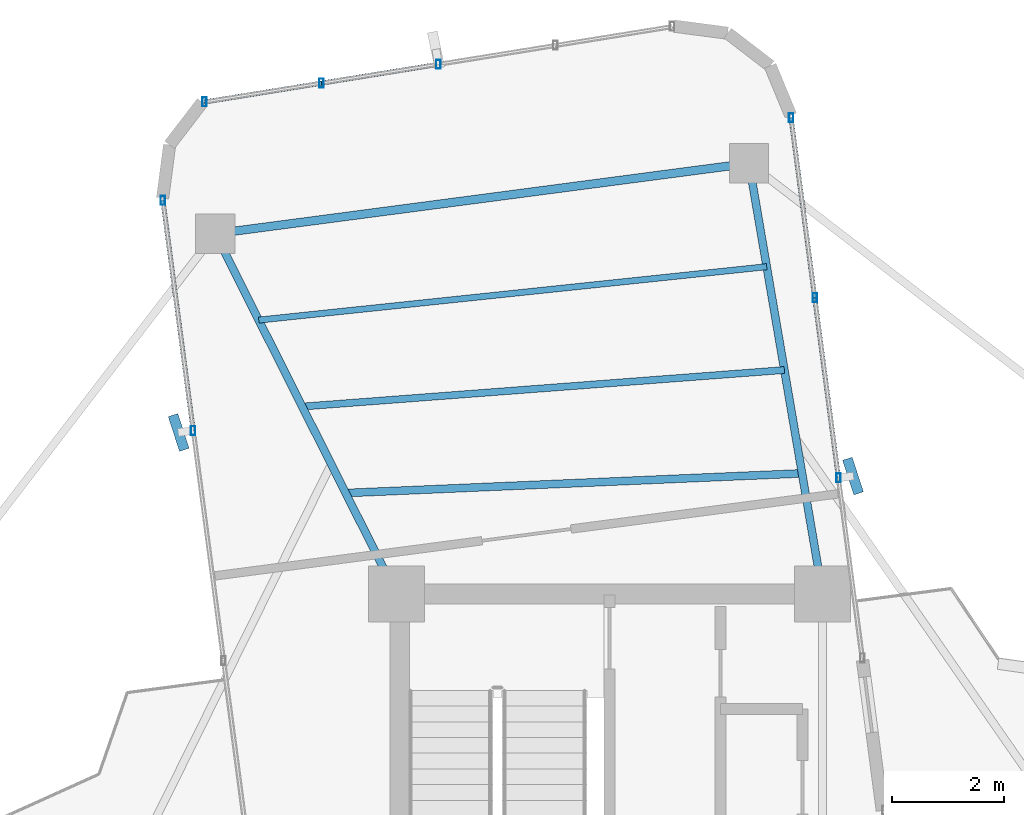
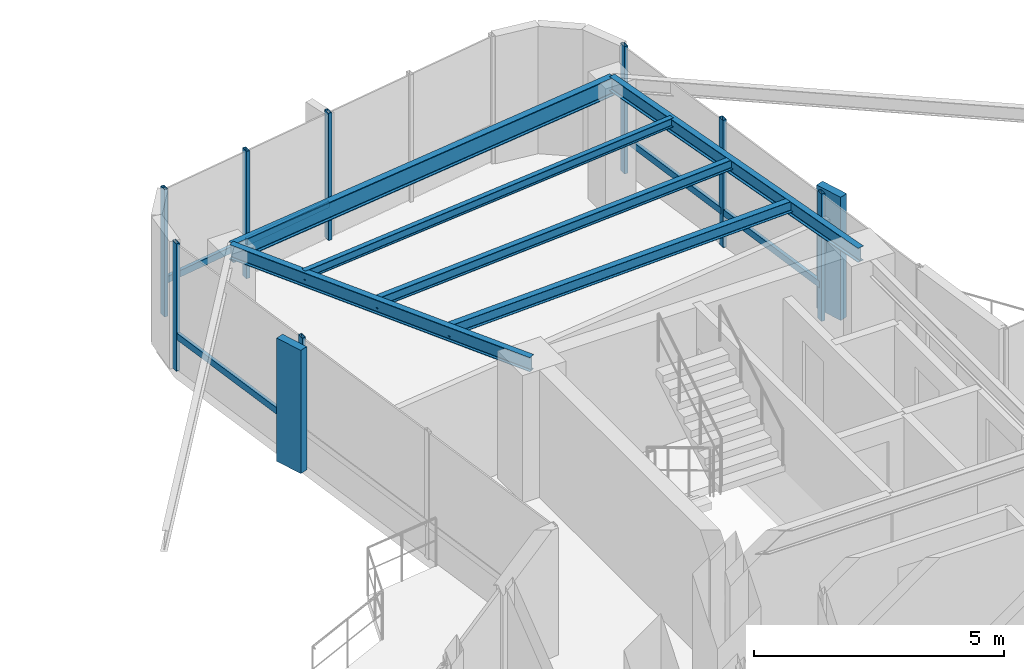
# One storey, part 13 of 21: 15 members, 6 beams, 3 elements without a shape of their own.
"""IFC4 building model written with IfcOpenShell, lengths in metres."""

from ifc_helpers import new_model, si_unit, direction, frame, origin, origin_2d, place, context, subcontext, project, spatial, rectangle, hollow_rectangle, i_section, extrude, source, transform, mapped, material, material_profile, profile_set, type_object, element, aggregate, save


model = new_model("IFC4")

# Units and contexts
model_context = context("Model", 3, precision=1e-05, world=origin(), true_north=direction((0.0, 1.0)))
body_context = subcontext(model_context, "Body", "Model", "MODEL_VIEW")
ifc_project = project(units=[si_unit("LENGTHUNIT", "METRE"), si_unit("AREAUNIT", "SQUARE_METRE"), si_unit("VOLUMEUNIT", "CUBIC_METRE"), si_unit("PLANEANGLEUNIT", "RADIAN"), si_unit("MASSUNIT", "GRAM", prefix="KILO")], contexts=[model_context])

# Site, building, storey
site_placement = place(None, origin())
site = spatial("IfcSite", under=ifc_project, at=site_placement, CompositionType="ELEMENT")
building_placement = place(site_placement, origin())
building = spatial("IfcBuilding", under=site, at=building_placement, Name="Sahyath Konkavel Grand Hotel", CompositionType="ELEMENT")
storey_placement = place(building_placement, frame((0.0, 0.0, 216.550048828125)))
storey = spatial("IfcBuildingStorey", under=building, at=storey_placement, Name="L60", CompositionType="ELEMENT", Elevation=216.550048828125)

# Beams
ifc_material_1 = material(Name="Steel E350", Category="steel")
ifc_material_profile_1 = material_profile(ifc_material_1, i_section(OverallWidth=0.139892578125, OverallDepth=0.35009765625, WebThickness=0.008056640625, FlangeThickness=0.01416015625, FilletRadius=0.013916015625, at=origin_2d()), Name="ISMB 350")
ifc_profile_set_1 = profile_set([ifc_material_profile_1], Name="Steel E350")
beam_type_1 = type_object("IfcBeamType", Name="BM-ISMB350", PredefinedType="BEAM", material=ifc_profile_set_1)
shared_shape_1 = source(origin(), body_context, "Body", "SweptSolid", [
    extrude(i_section(OverallWidth=0.139892578125, OverallDepth=0.35009765625, WebThickness=0.008056640625, FlangeThickness=0.01416015625, FilletRadius=0.013916015625, at=origin_2d()), origin(), (0.0, 0.0, 1.0), 7.7890625),
])
beam_1_placement = place(storey_placement, frame((3.800048828125, 10.199951171875, 2.93505859375), z_axis=(-0.168473997649, 0.985706098244, 0.0), x_axis=(-0.985706098244, -0.168473997649, 0.0)))
element("IfcBeam", 1, at=beam_1_placement, inside=storey, type_object=beam_type_1, Name="L60 Cruciform Radial Girder NA", PredefinedType="BEAM", context=body_context, shape_type="MappedRepresentation", body=[
    mapped(shared_shape_1, transform((0.0, 0.0, 0.0), scale=1.0)),
])
shared_shape_2 = source(origin(), body_context, "Body", "SweptSolid", [
    extrude(i_section(OverallWidth=0.139892578125, OverallDepth=0.35009765625, WebThickness=0.008056640625, FlangeThickness=0.01416015625, FilletRadius=0.013916015625, at=origin_2d()), origin(), (0.0, 0.0, 1.0), 7.19091796875),
])
beam_2_placement = place(storey_placement, frame((-3.800048828125, 10.199951171875, 2.93505859375), z_axis=(-0.4491817134, 0.893440422383, 0.0), x_axis=(-0.893440422383, -0.4491817134, 0.0)))
element("IfcBeam", 2, at=beam_2_placement, inside=storey, type_object=beam_type_1, Name="L60 Cruciform Radial Girder NB", PredefinedType="BEAM", context=body_context, shape_type="MappedRepresentation", body=[
    mapped(shared_shape_2, transform((0.0, 0.0, 0.0), scale=1.0)),
])
ifc_material_profile_2 = material_profile(ifc_material_1, i_section(OverallWidth=0.14990234375, OverallDepth=0.449951171875, WebThickness=0.009521484375, FlangeThickness=0.017333984375, FilletRadius=0.014892578125, at=origin_2d()), Name="ISMB 450")
ifc_profile_set_2 = profile_set([ifc_material_profile_2], Name="Steel E350")
beam_type_2 = type_object("IfcBeamType", Name="BM-ISMB450", PredefinedType="BEAM", material=ifc_profile_set_2)
shared_shape_3 = source(origin(), body_context, "Body", "SweptSolid", [
    extrude(i_section(OverallWidth=0.14990234375, OverallDepth=0.449951171875, WebThickness=0.009521484375, FlangeThickness=0.017333984375, FilletRadius=0.014892578125, at=origin_2d()), origin(), (0.0, 0.0, 1.0), 9.599853515625),
])
beam_3_placement = place(storey_placement, frame((2.48779296875, 17.877685546875, 2.885009765625), z_axis=(-0.991443125639, -0.130539375757, 0.0), x_axis=(0.130539375757, -0.991443125639, 0.0)))
element("IfcBeam", 3, at=beam_3_placement, inside=storey, type_object=beam_type_2, Name="L60 Wing Tip Edge Beam N", PredefinedType="BEAM", context=body_context, shape_type="MappedRepresentation", body=[
    mapped(shared_shape_3, transform((0.0, 0.0, 0.0), scale=1.0)),
])
ifc_material_profile_3 = material_profile(ifc_material_1, i_section(OverallWidth=0.139892578125, OverallDepth=0.27490234375, WebThickness=0.00634765625, FlangeThickness=0.0087890625, FilletRadius=0.012939453125, at=origin_2d()), Name="ISLB 275")
ifc_profile_set_3 = profile_set([ifc_material_profile_3], Name="Steel E350")
beam_type_3 = type_object("IfcBeamType", Name="BM-ISLB275", PredefinedType="BEAM", material=ifc_profile_set_3)
shared_shape_4 = source(origin(), body_context, "Body", "SweptSolid", [
    extrude(i_section(OverallWidth=0.139892578125, OverallDepth=0.27490234375, WebThickness=0.00634765625, FlangeThickness=0.0087890625, FilletRadius=0.012939453125, at=origin_2d()), origin(), (0.0, 0.0, 1.0), 8.14453125),
])
beam_4_placement = place(storey_placement, frame((3.4326171875, 12.349853515625, 2.972412109375), z_axis=(-0.999070525707, -0.043105506195, 0.0), x_axis=(0.043105506195, -0.999070525707, 0.0)))
element("IfcBeam", 4, at=beam_4_placement, inside=storey, type_object=beam_type_3, Name="L60 Secondary Floor Beam N-1", PredefinedType="BEAM", context=body_context, shape_type="MappedRepresentation", body=[
    mapped(shared_shape_4, transform((0.0, 0.0, 0.0), scale=1.0)),
])
ifc_material_profile_4 = material_profile(ifc_material_1, i_section(OverallWidth=0.125, OverallDepth=0.25, WebThickness=0.0068359375, FlangeThickness=0.012451171875, FilletRadius=0.012939453125, at=origin_2d()), Name="ISMB 250")
ifc_profile_set_4 = profile_set([ifc_material_profile_4], Name="Steel E350")
beam_type_4 = type_object("IfcBeamType", Name="BM-ISMB250", PredefinedType="BEAM", material=ifc_profile_set_4)
shared_shape_5 = source(origin(), body_context, "Body", "SweptSolid", [
    extrude(i_section(OverallWidth=0.125, OverallDepth=0.25, WebThickness=0.0068359375, FlangeThickness=0.012451171875, FilletRadius=0.012939453125, at=origin_2d()), origin(), (0.0, 0.0, 1.0), 8.6220703125),
])
beam_5_placement = place(storey_placement, frame((3.11767578125, 14.1923828125, 2.98486328125), z_axis=(-0.997140134449, -0.075574812405, 0.0), x_axis=(0.075574812405, -0.997140134449, 0.0)))
element("IfcBeam", 5, at=beam_5_placement, inside=storey, type_object=beam_type_4, Name="L60 Secondary Floor Beam N-2", PredefinedType="BEAM", context=body_context, shape_type="MappedRepresentation", body=[
    mapped(shared_shape_5, transform((0.0, 0.0, 0.0), scale=1.0)),
])
ifc_material_profile_5 = material_profile(ifc_material_1, i_section(OverallWidth=0.110107421875, OverallDepth=0.22509765625, WebThickness=0.006591796875, FlangeThickness=0.01171875, FilletRadius=0.011962890625, at=origin_2d()), Name="ISMB 225")
ifc_profile_set_5 = profile_set([ifc_material_profile_5], Name="Steel E350")
beam_type_5 = type_object("IfcBeamType", Name="BM-ISMB225", PredefinedType="BEAM", material=ifc_profile_set_5)
shared_shape_6 = source(origin(), body_context, "Body", "SweptSolid", [
    extrude(i_section(OverallWidth=0.110107421875, OverallDepth=0.22509765625, WebThickness=0.006591796875, FlangeThickness=0.01171875, FilletRadius=0.011962890625, at=origin_2d()), origin(), (0.0, 0.0, 1.0), 9.107666015625),
])
beam_6_placement = place(storey_placement, frame((2.802734375, 16.03515625, 2.99755859375), z_axis=(-0.994517344132, -0.10457175632, 0.0), x_axis=(0.10457175632, -0.994517344132, 0.0)))
element("IfcBeam", 6, at=beam_6_placement, inside=storey, type_object=beam_type_5, Name="L60 Secondary Floor Beam N-3", PredefinedType="BEAM", context=body_context, shape_type="MappedRepresentation", body=[
    mapped(shared_shape_6, transform((0.0, 0.0, 0.0), scale=1.0)),
])

# Curtain wall, members
ifc_material_2 = material(Name="Anodised Bronze Aluminium & Low-E Glazing", Category="aluminium")
curtain_wall_type = type_object("IfcCurtainWallType", Name="CW-ZONE4", PredefinedType="NOTDEFINED", material=ifc_material_2)
curtain_wall_1_placement = place(storey_placement, origin())
curtain_wall_1 = element("IfcCurtainWall", 7, at=curtain_wall_1_placement, inside=storey, type_object=curtain_wall_type, Name="L60 Unitised Curtain Wall F8", PredefinedType="NOTDEFINED")
ifc_material_3 = material(Name="Anodised Bronze Aluminium", Category="aluminium")
ifc_material_profile_6 = material_profile(ifc_material_3, hollow_rectangle(XDim=0.080078125, YDim=0.159912109375, WallThickness=0.006103515625, at=origin_2d()), Name="RHS 160x80x6")
ifc_profile_set_6 = profile_set([ifc_material_profile_6], Name="Anodised Bronze Aluminium")
member_type_1 = type_object("IfcMemberType", Name="CW-MUL-160", PredefinedType="MULLION", material=ifc_profile_set_6)
shared_shape_7 = source(origin(), body_context, "Body", "SweptSolid", [
    extrude(hollow_rectangle(XDim=0.080078125, YDim=0.159912109375, WallThickness=0.006103515625, at=origin_2d()), origin(), (0.0, 0.0, 1.0), 3.10986328125),
])
member_1_placement = place(storey_placement, frame((4.083740234375, 12.26806640625, 0.0), z_axis=(0.0, 0.0, 1.0), x_axis=(1.0, 0.0, 0.0)))
member_1 = element("IfcMember", 8, at=member_1_placement, type_object=member_type_1, Name="L60 Curtain Wall Mullion F8-1", PredefinedType="MULLION", context=body_context, shape_type="MappedRepresentation", body=[
    mapped(shared_shape_7, transform((0.0, 0.0, 0.0), scale=1.0)),
])
member_2_placement = place(storey_placement, frame((3.66064453125, 15.480224609375, 0.0), z_axis=(0.0, 0.0, 1.0), x_axis=(1.0, 0.0, 0.0)))
member_2 = element("IfcMember", 9, at=member_2_placement, type_object=member_type_1, Name="L60 Curtain Wall Mullion F8-2", PredefinedType="MULLION", context=body_context, shape_type="MappedRepresentation", body=[
    mapped(shared_shape_7, transform((0.0, 0.0, 0.0), scale=1.0)),
])
member_3_placement = place(storey_placement, frame((3.23779296875, 18.6923828125, 0.0), z_axis=(0.0, 0.0, 1.0), x_axis=(1.0, 0.0, 0.0)))
member_3 = element("IfcMember", 10, at=member_3_placement, type_object=member_type_1, Name="L60 Curtain Wall Mullion F8-3", PredefinedType="MULLION", context=body_context, shape_type="MappedRepresentation", body=[
    mapped(shared_shape_7, transform((0.0, 0.0, 0.0), scale=1.0)),
])

curtain_wall_2_placement = place(storey_placement, origin())
curtain_wall_2 = element("IfcCurtainWall", 11, at=curtain_wall_2_placement, inside=storey, type_object=curtain_wall_type, Name="L60 Unitised Curtain Wall F12", PredefinedType="NOTDEFINED")
member_4_placement = place(storey_placement, frame((-3.052734375, 19.6455078125, 0.0), z_axis=(0.0, 0.0, 1.0), x_axis=(1.0, 0.0, 0.0)))
member_4 = element("IfcMember", 12, at=member_4_placement, type_object=member_type_1, Name="L60 Curtain Wall Mullion F12-2", PredefinedType="MULLION", context=body_context, shape_type="MappedRepresentation", body=[
    mapped(shared_shape_7, transform((0.0, 0.0, 0.0), scale=1.0)),
])
member_5_placement = place(storey_placement, frame((-5.137939453125, 19.30908203125, 0.0), z_axis=(0.0, 0.0, 1.0), x_axis=(1.0, 0.0, 0.0)))
member_5 = element("IfcMember", 13, at=member_5_placement, type_object=member_type_1, Name="L60 Curtain Wall Mullion F12-3", PredefinedType="MULLION", context=body_context, shape_type="MappedRepresentation", body=[
    mapped(shared_shape_7, transform((0.0, 0.0, 0.0), scale=1.0)),
])
member_6_placement = place(storey_placement, frame((-7.22314453125, 18.972900390625, 0.0), z_axis=(0.0, 0.0, 1.0), x_axis=(1.0, 0.0, 0.0)))
member_6 = element("IfcMember", 14, at=member_6_placement, type_object=member_type_1, Name="L60 Curtain Wall Mullion F12-4", PredefinedType="MULLION", context=body_context, shape_type="MappedRepresentation", body=[
    mapped(shared_shape_7, transform((0.0, 0.0, 0.0), scale=1.0)),
])

curtain_wall_3_placement = place(storey_placement, origin())
curtain_wall_3 = element("IfcCurtainWall", 15, at=curtain_wall_3_placement, inside=storey, type_object=curtain_wall_type, Name="L60 Unitised Curtain Wall F15", PredefinedType="NOTDEFINED")
member_7_placement = place(storey_placement, frame((-7.965576171875, 17.217529296875, 0.0), z_axis=(0.0, 0.0, 1.0), x_axis=(1.0, 0.0, 0.0)))
member_7 = element("IfcMember", 16, at=member_7_placement, type_object=member_type_1, Name="L60 Curtain Wall Mullion F15-0", PredefinedType="MULLION", context=body_context, shape_type="MappedRepresentation", body=[
    mapped(shared_shape_7, transform((0.0, 0.0, 0.0), scale=1.0)),
])
member_8_placement = place(storey_placement, frame((-7.425048828125, 13.113037109375, 0.0), z_axis=(0.0, 0.0, 1.0), x_axis=(1.0, 0.0, 0.0)))
member_8 = element("IfcMember", 17, at=member_8_placement, type_object=member_type_1, Name="L60 Curtain Wall Mullion F15-1", PredefinedType="MULLION", context=body_context, shape_type="MappedRepresentation", body=[
    mapped(shared_shape_7, transform((0.0, 0.0, 0.0), scale=1.0)),
])

# Member
ifc_material_4 = material(Name="Warm Buff Sandstone Cladding on Concrete C50/60", Category="masonry")
ifc_material_profile_7 = material_profile(ifc_material_4, rectangle(XDim=0.179931640625, YDim=0.64990234375, at=origin_2d()), Name="FIN 180x650")
ifc_profile_set_7 = profile_set([ifc_material_profile_7], Name="Warm Buff Sandstone Cladding on Concrete C50/60")
member_type_2 = type_object("IfcMemberType", Name="FIN-SANDSTONE-650", PredefinedType="MULLION", material=ifc_profile_set_7)
shared_shape_8 = source(origin(), body_context, "Body", "SweptSolid", [
    extrude(rectangle(XDim=0.179931640625, YDim=0.64990234375, at=origin_2d()), origin(), (0.0, 0.0, 1.0), 3.010009765625),
])
member_9_placement = place(storey_placement, frame((4.341552734375, 12.302001953125, 0.050048828125), z_axis=(0.0, 0.0, 1.0), x_axis=(0.951379596601, 0.308020881065, 0.0)))
member_9 = element("IfcMember", 18, at=member_9_placement, type_object=member_type_2, Name="L60 Sandstone Vertical Solar Fin FIN F8-1", PredefinedType="MULLION", context=body_context, shape_type="MappedRepresentation", body=[
    mapped(shared_shape_8, transform((0.0, 0.0, 0.0), scale=1.0)),
])

member_10_placement = place(storey_placement, frame((-7.682861328125, 13.0791015625, 0.050048828125), z_axis=(0.0, 0.0, 1.0), x_axis=(0.951379596601, 0.308020881065, 0.0)))
member_10 = element("IfcMember", 19, at=member_10_placement, type_object=member_type_2, Name="L60 Sandstone Vertical Solar Fin FIN F15-1", PredefinedType="MULLION", context=body_context, shape_type="MappedRepresentation", body=[
    mapped(shared_shape_8, transform((0.0, 0.0, 0.0), scale=1.0)),
])

ifc_material_profile_8 = material_profile(ifc_material_3, hollow_rectangle(XDim=0.080078125, YDim=0.159912109375, WallThickness=0.006103515625, at=origin_2d()), Name="RHS 160x80x6")
ifc_profile_set_8 = profile_set([ifc_material_profile_8], Name="Anodised Bronze Aluminium")
member_type_3 = type_object("IfcMemberType", Name="CW-TRN-160", PredefinedType="USERDEFINED", material=ifc_profile_set_8)
shared_shape_9 = source(origin(), body_context, "Body", "SweptSolid", [
    extrude(hollow_rectangle(XDim=0.080078125, YDim=0.159912109375, WallThickness=0.006103515625, at=origin_2d()), origin(), (0.0, 0.0, 1.0), 3.239990234375),
])
member_11_placement = place(storey_placement, frame((4.083740234375, 12.26806640625, 0.849853515625), z_axis=(-0.130589010341, 0.991436589187, 0.0), x_axis=(-0.991436589187, -0.130589010341, 0.0)))
member_11 = element("IfcMember", 20, at=member_11_placement, type_object=member_type_3, Name="L60 Curtain Wall Transom F8-1-spandrel", ObjectType="TRANSOM", PredefinedType="USERDEFINED", context=body_context, shape_type="MappedRepresentation", body=[
    mapped(shared_shape_9, transform((0.0, 0.0, 0.0), scale=1.0)),
])

member_12_placement = place(storey_placement, frame((3.66064453125, 15.480224609375, 0.849853515625), z_axis=(-0.130514939997, 0.991446342692, 0.0), x_axis=(-0.991446342692, -0.130514939997, 0.0)))
member_12 = element("IfcMember", 21, at=member_12_placement, type_object=member_type_3, Name="L60 Curtain Wall Transom F8-2-spandrel", ObjectType="TRANSOM", PredefinedType="USERDEFINED", context=body_context, shape_type="MappedRepresentation", body=[
    mapped(shared_shape_9, transform((0.0, 0.0, 0.0), scale=1.0)),
])

aggregate(curtain_wall_1, [member_1, member_9, member_2, member_3, member_11, member_12])

shared_shape_10 = source(origin(), body_context, "Body", "SweptSolid", [
    extrude(hollow_rectangle(XDim=0.080078125, YDim=0.159912109375, WallThickness=0.006103515625, at=origin_2d()), origin(), (0.0, 0.0, 1.0), 2.112060546875),
])
member_13_placement = place(storey_placement, frame((-3.052734375, 19.6455078125, 0.849853515625), z_axis=(-0.987233499712, -0.159279681841, 0.0), x_axis=(0.159279681841, -0.987233499712, 0.0)))
member_13 = element("IfcMember", 22, at=member_13_placement, type_object=member_type_3, Name="L60 Curtain Wall Transom F12-2-spandrel", ObjectType="TRANSOM", PredefinedType="USERDEFINED", context=body_context, shape_type="MappedRepresentation", body=[
    mapped(shared_shape_10, transform((0.0, 0.0, 0.0), scale=1.0)),
])

member_14_placement = place(storey_placement, frame((-5.137939453125, 19.30908203125, 0.849853515625), z_axis=(-0.98725166933, -0.159167023612, 0.0), x_axis=(0.159167023612, -0.98725166933, 0.0)))
member_14 = element("IfcMember", 23, at=member_14_placement, type_object=member_type_3, Name="L60 Curtain Wall Transom F12-3-spandrel", ObjectType="TRANSOM", PredefinedType="USERDEFINED", context=body_context, shape_type="MappedRepresentation", body=[
    mapped(shared_shape_10, transform((0.0, 0.0, 0.0), scale=1.0)),
])

aggregate(curtain_wall_2, [member_4, member_5, member_6, member_13, member_14])

shared_shape_11 = source(origin(), body_context, "Body", "SweptSolid", [
    extrude(hollow_rectangle(XDim=0.080078125, YDim=0.159912109375, WallThickness=0.006103515625, at=origin_2d()), origin(), (0.0, 0.0, 1.0), 4.139892578125),
])
member_15_placement = place(storey_placement, frame((-7.965576171875, 17.217529296875, 0.849853515625), z_axis=(0.130564346904, -0.991439837467, 0.0), x_axis=(0.991439837467, 0.130564346904, 0.0)))
member_15 = element("IfcMember", 24, at=member_15_placement, type_object=member_type_3, Name="L60 Curtain Wall Transom F15-0-spandrel", ObjectType="TRANSOM", PredefinedType="USERDEFINED", context=body_context, shape_type="MappedRepresentation", body=[
    mapped(shared_shape_11, transform((0.0, 0.0, 0.0), scale=1.0)),
])

aggregate(curtain_wall_3, [member_7, member_8, member_10, member_15])

save(model, "model.ifc")
